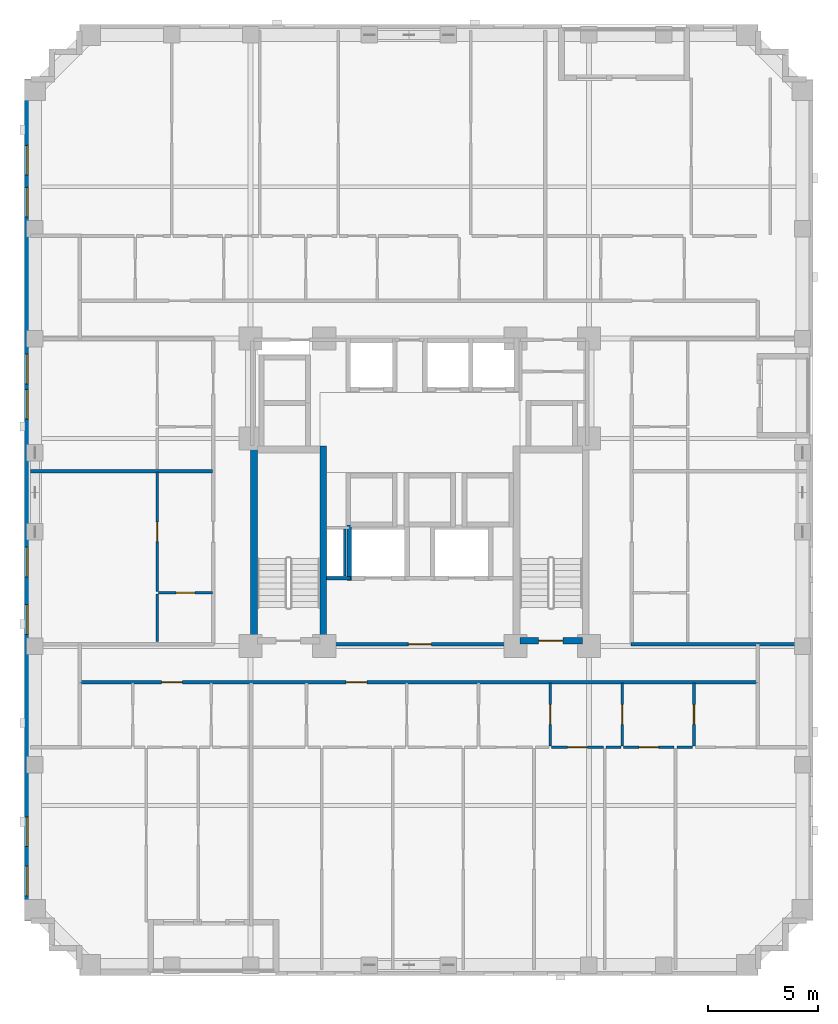
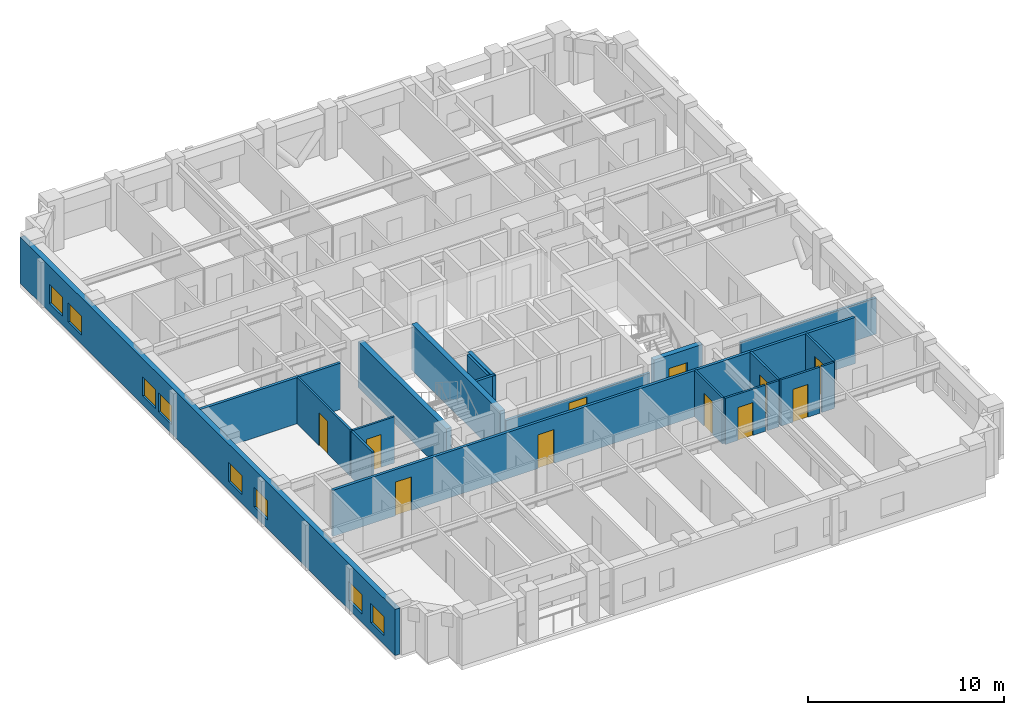
# One storey, part 4 of 12: 21 walls, 11 doors, 8 windows, 19 openings.
"""IFC4 building model written with IfcOpenShell, lengths in metres."""

from ifc_helpers import new_model, si_unit, derived_unit, direction, frame, frame_2d, origin, place, context, subcontext, project, spatial, rectangle, extrude, material, layer, layer_set, type_object, element, fill, save


model = new_model("IFC4")

# Units and contexts
model_context = context("Model", 3, precision=1e-05, world=origin(), true_north=direction((0.0, 1.0)))
body_context = subcontext(model_context, "Body", "Model", "MODEL_VIEW")
ifc_project = project(units=[si_unit("LENGTHUNIT", "METRE"), si_unit("AREAUNIT", "SQUARE_METRE"), si_unit("VOLUMEUNIT", "CUBIC_METRE"), si_unit("PLANEANGLEUNIT", "RADIAN"), si_unit("MASSUNIT", "GRAM", prefix="KILO"), derived_unit("THERMALTRANSMITTANCEUNIT", [(si_unit("MASSUNIT", "GRAM", prefix="KILO"), 1), (si_unit("TIMEUNIT", "SECOND"), -3), (si_unit("THERMODYNAMICTEMPERATUREUNIT", "KELVIN"), -1)])], contexts=[model_context])

# Site, building, storey
site_placement = place(None, origin())
site = spatial("IfcSite", under=ifc_project, at=site_placement, CompositionType="ELEMENT")
building_placement = place(site_placement, origin())
building = spatial("IfcBuilding", under=site, at=building_placement, Name="Korrvale Station Residences", CompositionType="ELEMENT")
storey_placement = place(building_placement, frame((0.0, 0.0, 116.699951171875)))
storey = spatial("IfcBuildingStorey", under=building, at=storey_placement, Name="L33", CompositionType="ELEMENT", Elevation=116.699951171875)

# Walls
ifc_material_1 = material(Name="Concrete C60/75", Category="concrete")
ifc_layer_1 = layer(ifc_material_1, 0.300048828125, Name="Concrete C60/75")
ifc_layer_set_1 = layer_set([ifc_layer_1], Name="Concrete C60/75")
wall_type_1 = type_object("IfcWallType", Name="WAL-CORE-300-C60", PredefinedType="SHEAR", material=ifc_layer_set_1)
for number, where, z_axis, x_axis, name in (
    (1, (17.949951171875, 15.10009765625, 0.0), (0.0, 0.0, 1.0), (0.0, 1.0, 0.0), "L33 ST-1 Core Shear Wall West"),
    (2, (21.10009765625, 15.10009765625, 0.0), (0.0, 0.0, 1.0), (0.0, 1.0, 0.0), "L33 ST-1 Core Shear Wall East"),
):
    element("IfcWall", number, at=place(storey_placement, frame(where, z_axis=z_axis, x_axis=x_axis)), inside=storey, type_object=wall_type_1, Name=name, PredefinedType="SHEAR", context=body_context, shape_type="SweptSolid", body=[
        extrude(rectangle(XDim=9.0, YDim=0.300048828125, at=frame_2d((4.5, 0.0))), origin(), (0.0, 0.0, 1.0), 2.880126953125),
    ])

# Wall, opening, door
wall_1_placement = place(storey_placement, frame((30.050048828125, 15.25, 0.0), z_axis=(0.0, 0.0, 1.0), x_axis=(1.0, 0.0, 0.0)))
wall_1 = element("IfcWall", 3, at=wall_1_placement, inside=storey, type_object=wall_type_1, Name="L33 ST-2 Core Shear Wall South", PredefinedType="SHEAR", context=body_context, shape_type="SweptSolid", body=[
    extrude(rectangle(XDim=2.849853515625, YDim=0.300048828125, at=frame_2d((1.4248046875, 0.0))), origin(), (0.0, 0.0, 1.0), 2.880126953125),
])
opening_1_placement = place(wall_1_placement, frame((0.860107421875, 0.0, 0.0)))
opening_1 = element("IfcOpeningElement", 4, at=opening_1_placement, cuts=wall_1, Name="Opening SD-1100", PredefinedType="OPENING", context=body_context, shape_type="SweptSolid", body=[
    extrude(rectangle(XDim=1.10009765625, YDim=2.050048828125, at=frame_2d((0.550048828125, 1.02490234375))), frame((0.0, 0.16015625, 0.0), z_axis=(0.0, -1.0, 0.0), x_axis=(1.0, 0.0, 0.0)), (0.0, 0.0, 1.0), 0.320068359375),
])
ifc_material_2 = material(Name="Hollow-metal fire-rated stair door with closer", Category="steel")
door_type_1 = type_object("IfcDoorType", Name="DR-STAIR-1100", OperationType="NOTDEFINED", PredefinedType="DOOR", material=ifc_material_2)
door_1_placement = place(opening_1_placement, origin())
door_1 = element("IfcDoor", 5, at=door_1_placement, inside=storey, type_object=door_type_1, Name="L33 ST-2 Exit Stair Door", OperationType="SINGLE_SWING_RIGHT", OverallHeight=2.050048828125, OverallWidth=1.10009765625, PredefinedType="DOOR", context=body_context, shape_type="SweptSolid", body=[
    extrude(rectangle(XDim=1.10009765625, YDim=2.050048828125, at=frame_2d((0.550048828125, 1.02490234375))), frame((0.0, 0.02490234375, 0.0), z_axis=(0.0, -1.0, 0.0), x_axis=(1.0, 0.0, 0.0)), (0.0, 0.0, 1.0), 0.050048828125),
])
fill(opening_1, door_1)

# Wall, openings, windows
ifc_material_3 = material(Name="Precast concrete C45/55", Category="concrete")
ifc_layer_2 = layer(ifc_material_3, 0.300048828125, Name="Precast concrete C45/55")
ifc_layer_set_2 = layer_set([ifc_layer_2], Name="Precast concrete C45/55")
wall_type_2 = type_object("IfcWallType", Name="WAL-EXT-PC300", PredefinedType="SOLIDWALL", material=ifc_layer_set_2)
wall_2_placement = place(storey_placement, frame((7.64990234375, 2.5, 0.0), z_axis=(0.0, 0.0, 1.0), x_axis=(0.0, 1.0, 0.0)))
wall_2 = element("IfcWall", 6, at=wall_2_placement, inside=storey, type_object=wall_type_2, Name="L33 West Exterior Precast Wall 1", PredefinedType="SOLIDWALL", context=body_context, shape_type="SweptSolid", body=[
    extrude(rectangle(XDim=38.300048828125, YDim=0.300048828125, at=frame_2d((19.14990234375, 0.0))), origin(), (0.0, 0.0, 1.0), 2.880126953125),
])
opening_2_placement = place(wall_2_placement, frame((3.3798828125, 0.0, 0.550048828125)))
opening_2 = element("IfcOpeningElement", 7, at=opening_2_placement, cuts=wall_2, Name="Opening W-10", PredefinedType="OPENING", context=body_context, shape_type="SweptSolid", body=[
    extrude(rectangle(XDim=1.35009765625, YDim=1.199951171875, at=frame_2d((0.675048828125, 0.60009765625))), frame((0.0, 0.16015625, 0.0), z_axis=(0.0, -1.0, 0.0), x_axis=(1.0, 0.0, 0.0)), (0.0, 0.0, 1.0), 0.320068359375),
])
opening_3_placement = place(wall_2_placement, frame((1.135009765625, 0.0, 0.550048828125)))
opening_3 = element("IfcOpeningElement", 8, at=opening_3_placement, cuts=wall_2, Name="Opening W-10", PredefinedType="OPENING", context=body_context, shape_type="SweptSolid", body=[
    extrude(rectangle(XDim=1.35009765625, YDim=1.199951171875, at=frame_2d((0.675048828125, 0.60009765625))), frame((0.0, 0.16015625, 0.0), z_axis=(0.0, -1.0, 0.0), x_axis=(1.0, 0.0, 0.0)), (0.0, 0.0, 1.0), 0.320068359375),
])
opening_4_placement = place(wall_2_placement, frame((33.946044921875, 0.0, 0.550048828125)))
opening_4 = element("IfcOpeningElement", 9, at=opening_4_placement, cuts=wall_2, Name="Opening W-10", PredefinedType="OPENING", context=body_context, shape_type="SweptSolid", body=[
    extrude(rectangle(XDim=1.35009765625, YDim=1.199951171875, at=frame_2d((0.675048828125, 0.60009765625))), frame((0.0, 0.16015625, 0.0), z_axis=(0.0, -1.0, 0.0), x_axis=(1.0, 0.0, 0.0)), (0.0, 0.0, 1.0), 0.320068359375),
])
opening_5_placement = place(wall_2_placement, frame((32.034912109375, 0.0, 0.550048828125)))
opening_5 = element("IfcOpeningElement", 10, at=opening_5_placement, cuts=wall_2, Name="Opening W-10", PredefinedType="OPENING", context=body_context, shape_type="SweptSolid", body=[
    extrude(rectangle(XDim=1.35009765625, YDim=1.199951171875, at=frame_2d((0.675048828125, 0.60009765625))), frame((0.0, 0.16015625, 0.0), z_axis=(0.0, -1.0, 0.0), x_axis=(1.0, 0.0, 0.0)), (0.0, 0.0, 1.0), 0.320068359375),
])
opening_6_placement = place(wall_2_placement, frame((15.64990234375, 0.0, 0.550048828125)))
opening_6 = element("IfcOpeningElement", 11, at=opening_6_placement, cuts=wall_2, Name="Opening W-10", PredefinedType="OPENING", context=body_context, shape_type="SweptSolid", body=[
    extrude(rectangle(XDim=1.35009765625, YDim=1.199951171875, at=frame_2d((0.675048828125, 0.60009765625))), frame((0.0, 0.16015625, 0.0), z_axis=(0.0, -1.0, 0.0), x_axis=(1.0, 0.0, 0.0)), (0.0, 0.0, 1.0), 0.320068359375),
])
opening_7_placement = place(wall_2_placement, frame((13.034912109375, 0.0, 0.550048828125)))
opening_7 = element("IfcOpeningElement", 12, at=opening_7_placement, cuts=wall_2, Name="Opening W-10", PredefinedType="OPENING", context=body_context, shape_type="SweptSolid", body=[
    extrude(rectangle(XDim=1.35009765625, YDim=1.199951171875, at=frame_2d((0.675048828125, 0.60009765625))), frame((0.0, 0.16015625, 0.0), z_axis=(0.0, -1.0, 0.0), x_axis=(1.0, 0.0, 0.0)), (0.0, 0.0, 1.0), 0.320068359375),
])
opening_8_placement = place(wall_2_placement, frame((22.8310546875, 0.0, 0.550048828125)))
opening_8 = element("IfcOpeningElement", 13, at=opening_8_placement, cuts=wall_2, Name="Opening W-10", PredefinedType="OPENING", context=body_context, shape_type="SweptSolid", body=[
    extrude(rectangle(XDim=1.35009765625, YDim=1.199951171875, at=frame_2d((0.675048828125, 0.60009765625))), frame((0.0, 0.16015625, 0.0), z_axis=(0.0, -1.0, 0.0), x_axis=(1.0, 0.0, 0.0)), (0.0, 0.0, 1.0), 0.320068359375),
])
opening_9_placement = place(wall_2_placement, frame((24.44091796875, 0.0, 0.550048828125)))
opening_9 = element("IfcOpeningElement", 14, at=opening_9_placement, cuts=wall_2, Name="Opening W-10", PredefinedType="OPENING", context=body_context, shape_type="SweptSolid", body=[
    extrude(rectangle(XDim=1.35009765625, YDim=1.199951171875, at=frame_2d((0.675048828125, 0.60009765625))), frame((0.0, 0.16015625, 0.0), z_axis=(0.0, -1.0, 0.0), x_axis=(1.0, 0.0, 0.0)), (0.0, 0.0, 1.0), 0.320068359375),
])
ifc_material_4 = material(Name="Thermally broken aluminium frame with triple low-e glazing", Category="aluminium")
window_type = type_object("IfcWindowType", Name="WIN-W10", PartitioningType="SINGLE_PANEL", PredefinedType="WINDOW", material=ifc_material_4)
window_1_placement = place(opening_2_placement, origin())
window_1 = element("IfcWindow", 15, at=window_1_placement, inside=storey, type_object=window_type, Name="L33 Punched Window 01", OverallHeight=1.199951171875, OverallWidth=1.35009765625, PartitioningType="SINGLE_PANEL", PredefinedType="WINDOW", context=body_context, shape_type="SweptSolid", body=[
    extrude(rectangle(XDim=1.35009765625, YDim=1.199951171875, at=frame_2d((0.675048828125, 0.60009765625))), frame((0.0, 0.030029296875, 0.0), z_axis=(0.0, -1.0, 0.0), x_axis=(1.0, 0.0, 0.0)), (0.0, 0.0, 1.0), 0.06005859375),
])
fill(opening_2, window_1)
window_2_placement = place(opening_3_placement, origin())
window_2 = element("IfcWindow", 16, at=window_2_placement, inside=storey, type_object=window_type, Name="L33 Punched Window 02", OverallHeight=1.199951171875, OverallWidth=1.35009765625, PartitioningType="SINGLE_PANEL", PredefinedType="WINDOW", context=body_context, shape_type="SweptSolid", body=[
    extrude(rectangle(XDim=1.35009765625, YDim=1.199951171875, at=frame_2d((0.675048828125, 0.60009765625))), frame((0.0, 0.030029296875, 0.0), z_axis=(0.0, -1.0, 0.0), x_axis=(1.0, 0.0, 0.0)), (0.0, 0.0, 1.0), 0.06005859375),
])
fill(opening_3, window_2)
window_3_placement = place(opening_4_placement, origin())
window_3 = element("IfcWindow", 17, at=window_3_placement, inside=storey, type_object=window_type, Name="L33 Punched Window 12", OverallHeight=1.199951171875, OverallWidth=1.35009765625, PartitioningType="SINGLE_PANEL", PredefinedType="WINDOW", context=body_context, shape_type="SweptSolid", body=[
    extrude(rectangle(XDim=1.35009765625, YDim=1.199951171875, at=frame_2d((0.675048828125, 0.60009765625))), frame((0.0, 0.030029296875, 0.0), z_axis=(0.0, -1.0, 0.0), x_axis=(1.0, 0.0, 0.0)), (0.0, 0.0, 1.0), 0.06005859375),
])
fill(opening_4, window_3)
window_4_placement = place(opening_5_placement, origin())
window_4 = element("IfcWindow", 18, at=window_4_placement, inside=storey, type_object=window_type, Name="L33 Punched Window 13", OverallHeight=1.199951171875, OverallWidth=1.35009765625, PartitioningType="SINGLE_PANEL", PredefinedType="WINDOW", context=body_context, shape_type="SweptSolid", body=[
    extrude(rectangle(XDim=1.35009765625, YDim=1.199951171875, at=frame_2d((0.675048828125, 0.60009765625))), frame((0.0, 0.030029296875, 0.0), z_axis=(0.0, -1.0, 0.0), x_axis=(1.0, 0.0, 0.0)), (0.0, 0.0, 1.0), 0.06005859375),
])
fill(opening_5, window_4)
window_5_placement = place(opening_6_placement, origin())
window_5 = element("IfcWindow", 19, at=window_5_placement, inside=storey, type_object=window_type, Name="L33 Punched Window 19", OverallHeight=1.199951171875, OverallWidth=1.35009765625, PartitioningType="SINGLE_PANEL", PredefinedType="WINDOW", context=body_context, shape_type="SweptSolid", body=[
    extrude(rectangle(XDim=1.35009765625, YDim=1.199951171875, at=frame_2d((0.675048828125, 0.60009765625))), frame((0.0, 0.030029296875, 0.0), z_axis=(0.0, -1.0, 0.0), x_axis=(1.0, 0.0, 0.0)), (0.0, 0.0, 1.0), 0.06005859375),
])
fill(opening_6, window_5)
window_6_placement = place(opening_7_placement, origin())
window_6 = element("IfcWindow", 20, at=window_6_placement, inside=storey, type_object=window_type, Name="L33 Punched Window 20", OverallHeight=1.199951171875, OverallWidth=1.35009765625, PartitioningType="SINGLE_PANEL", PredefinedType="WINDOW", context=body_context, shape_type="SweptSolid", body=[
    extrude(rectangle(XDim=1.35009765625, YDim=1.199951171875, at=frame_2d((0.675048828125, 0.60009765625))), frame((0.0, 0.030029296875, 0.0), z_axis=(0.0, -1.0, 0.0), x_axis=(1.0, 0.0, 0.0)), (0.0, 0.0, 1.0), 0.06005859375),
])
fill(opening_7, window_6)
window_7_placement = place(opening_8_placement, origin())
window_7 = element("IfcWindow", 21, at=window_7_placement, inside=storey, type_object=window_type, Name="L33 Punched Window 21", OverallHeight=1.199951171875, OverallWidth=1.35009765625, PartitioningType="SINGLE_PANEL", PredefinedType="WINDOW", context=body_context, shape_type="SweptSolid", body=[
    extrude(rectangle(XDim=1.35009765625, YDim=1.199951171875, at=frame_2d((0.675048828125, 0.60009765625))), frame((0.0, 0.030029296875, 0.0), z_axis=(0.0, -1.0, 0.0), x_axis=(1.0, 0.0, 0.0)), (0.0, 0.0, 1.0), 0.06005859375),
])
fill(opening_8, window_7)
window_8_placement = place(opening_9_placement, origin())
window_8 = element("IfcWindow", 22, at=window_8_placement, inside=storey, type_object=window_type, Name="L33 Punched Window 22", OverallHeight=1.199951171875, OverallWidth=1.35009765625, PartitioningType="SINGLE_PANEL", PredefinedType="WINDOW", context=body_context, shape_type="SweptSolid", body=[
    extrude(rectangle(XDim=1.35009765625, YDim=1.199951171875, at=frame_2d((0.675048828125, 0.60009765625))), frame((0.0, 0.030029296875, 0.0), z_axis=(0.0, -1.0, 0.0), x_axis=(1.0, 0.0, 0.0)), (0.0, 0.0, 1.0), 0.06005859375),
])
fill(opening_9, window_8)

# Wall
ifc_material_5 = material(Name="Acoustic steel-stud gypsum board partition", Category="steel")
ifc_layer_3 = layer(ifc_material_5, 0.1201171875, Name="Acoustic steel-stud gypsum board partition")
ifc_layer_set_3 = layer_set([ifc_layer_3], Name="Acoustic steel-stud gypsum board partition")
wall_type_3 = type_object("IfcWallType", Name="WAL-PART-125", PredefinedType="PARTITIONING", material=ifc_layer_set_3)
wall_3_placement = place(storey_placement, frame((22.080078125, 18.199951171875, 0.0), z_axis=(0.0, 0.0, 1.0), x_axis=(0.0, 1.0, 0.0)))
element("IfcWall", 23, at=wall_3_placement, inside=storey, type_object=wall_type_3, Name="L33 Core Partition CW-RSWT", PredefinedType="PARTITIONING", context=body_context, shape_type="SweptSolid", body=[
    extrude(rectangle(XDim=2.1201171875, YDim=0.1201171875, at=frame_2d((1.06005859375, 0.0))), origin(), (0.0, 0.0, 1.0), 2.880126953125),
])

# Wall, opening, door
wall_4_placement = place(storey_placement, frame((31.43994140625, 10.4599609375, 0.0), z_axis=(0.0, 0.0, 1.0), x_axis=(0.0, 1.0, 0.0)))
wall_4 = element("IfcWall", 24, at=wall_4_placement, inside=storey, type_object=wall_type_3, Name="L33 Suite Partition U02-V34", PredefinedType="PARTITIONING", context=body_context, shape_type="SweptSolid", body=[
    extrude(rectangle(XDim=2.85009765625, YDim=0.1201171875, at=frame_2d((1.425048828125, 0.0))), origin(), (0.0, 0.0, 1.0), 2.880126953125),
])
opening_10_placement = place(wall_4_placement, frame((0.97509765625, 0.0, 0.0)))
opening_10 = element("IfcOpeningElement", 25, at=opening_10_placement, cuts=wall_4, Name="Opening DI-900", PredefinedType="OPENING", context=body_context, shape_type="SweptSolid", body=[
    extrude(rectangle(XDim=0.89990234375, YDim=2.050048828125, at=frame_2d((0.449951171875, 1.02490234375))), frame((0.0, 0.070068359375, 0.0), z_axis=(0.0, -1.0, 0.0), x_axis=(1.0, 0.0, 0.0)), (0.0, 0.0, 1.0), 0.14013671875),
])
ifc_material_6 = material(Name="Painted solid-core timber interior room door", Category="wood")
door_type_2 = type_object("IfcDoorType", Name="DR-INT-900", OperationType="NOTDEFINED", PredefinedType="DOOR", material=ifc_material_6)
door_2_placement = place(opening_10_placement, origin())
door_2 = element("IfcDoor", 26, at=door_2_placement, inside=storey, type_object=door_type_2, Name="L33 Studio Apartment L33-U02 Home Study Room Door", OperationType="SINGLE_SWING_LEFT", OverallHeight=2.050048828125, OverallWidth=0.89990234375, PredefinedType="DOOR", context=body_context, shape_type="SweptSolid", body=[
    extrude(rectangle(XDim=0.89990234375, YDim=2.050048828125, at=frame_2d((0.449951171875, 1.02490234375))), frame((0.0, 0.02490234375, 0.0), z_axis=(0.0, -1.0, 0.0), x_axis=(1.0, 0.0, 0.0)), (0.0, 0.0, 1.0), 0.050048828125),
])
fill(opening_10, door_2)

wall_5_placement = place(storey_placement, frame((34.7099609375, 10.4599609375, 0.0), z_axis=(0.0, 0.0, 1.0), x_axis=(0.0, 1.0, 0.0)))
wall_5 = element("IfcWall", 27, at=wall_5_placement, inside=storey, type_object=wall_type_3, Name="L33 Suite Partition U02-V45", PredefinedType="PARTITIONING", context=body_context, shape_type="SweptSolid", body=[
    extrude(rectangle(XDim=2.85009765625, YDim=0.1201171875, at=frame_2d((1.425048828125, 0.0))), origin(), (0.0, 0.0, 1.0), 2.880126953125),
])
opening_11_placement = place(wall_5_placement, frame((0.97509765625, 0.0, 0.0)))
opening_11 = element("IfcOpeningElement", 28, at=opening_11_placement, cuts=wall_5, Name="Opening DI-900", PredefinedType="OPENING", context=body_context, shape_type="SweptSolid", body=[
    extrude(rectangle(XDim=0.89990234375, YDim=2.050048828125, at=frame_2d((0.449951171875, 1.02490234375))), frame((0.0, 0.070068359375, 0.0), z_axis=(0.0, -1.0, 0.0), x_axis=(1.0, 0.0, 0.0)), (0.0, 0.0, 1.0), 0.14013671875),
])
door_3_placement = place(opening_11_placement, origin())
door_3 = element("IfcDoor", 29, at=door_3_placement, inside=storey, type_object=door_type_2, Name="L33 Studio Apartment L33-U02 Home Study Room Door", OperationType="SINGLE_SWING_LEFT", OverallHeight=2.050048828125, OverallWidth=0.89990234375, PredefinedType="DOOR", context=body_context, shape_type="SweptSolid", body=[
    extrude(rectangle(XDim=0.89990234375, YDim=2.050048828125, at=frame_2d((0.449951171875, 1.02490234375))), frame((0.0, 0.02490234375, 0.0), z_axis=(0.0, -1.0, 0.0), x_axis=(1.0, 0.0, 0.0)), (0.0, 0.0, 1.0), 0.050048828125),
])
fill(opening_11, door_3)

wall_6_placement = place(storey_placement, frame((31.5, 10.39990234375, 0.0), z_axis=(0.0, 0.0, 1.0), x_axis=(1.0, 0.0, 0.0)))
wall_6 = element("IfcWall", 30, at=wall_6_placement, inside=storey, type_object=wall_type_3, Name="L33 Suite Partition U02-H411", PredefinedType="PARTITIONING", context=body_context, shape_type="SweptSolid", body=[
    extrude(rectangle(XDim=2.360107421875, YDim=0.1201171875, at=frame_2d((1.18017578125, 0.0))), origin(), (0.0, 0.0, 1.0), 2.880126953125),
])
opening_12_placement = place(wall_6_placement, frame((0.72998046875, 0.0, 0.0)))
opening_12 = element("IfcOpeningElement", 31, at=opening_12_placement, cuts=wall_6, Name="Opening DI-900", PredefinedType="OPENING", context=body_context, shape_type="SweptSolid", body=[
    extrude(rectangle(XDim=0.89990234375, YDim=2.050048828125, at=frame_2d((0.449951171875, 1.02490234375))), frame((0.0, 0.070068359375, 0.0), z_axis=(0.0, -1.0, 0.0), x_axis=(1.0, 0.0, 0.0)), (0.0, 0.0, 1.0), 0.14013671875),
])
door_4_placement = place(opening_12_placement, origin())
door_4 = element("IfcDoor", 32, at=door_4_placement, inside=storey, type_object=door_type_2, Name="L33 Studio Apartment L33-U02 Home Study Room Door", OperationType="SINGLE_SWING_RIGHT", OverallHeight=2.050048828125, OverallWidth=0.89990234375, PredefinedType="DOOR", context=body_context, shape_type="SweptSolid", body=[
    extrude(rectangle(XDim=0.89990234375, YDim=2.050048828125, at=frame_2d((0.449951171875, 1.02490234375))), frame((0.0, 0.02490234375, 0.0), z_axis=(0.0, -1.0, 0.0), x_axis=(1.0, 0.0, 0.0)), (0.0, 0.0, 1.0), 0.050048828125),
])
fill(opening_12, door_4)

# Wall
wall_7_placement = place(storey_placement, frame((33.97998046875, 10.39990234375, 0.0), z_axis=(0.0, 0.0, 1.0), x_axis=(1.0, 0.0, 0.0)))
element("IfcWall", 33, at=wall_7_placement, inside=storey, type_object=wall_type_3, Name="L33 Suite Partition U02-H412", PredefinedType="PARTITIONING", context=body_context, shape_type="SweptSolid", body=[
    extrude(rectangle(XDim=0.669921875, YDim=0.1201171875, at=frame_2d((0.3349609375, 0.0))), origin(), (0.0, 0.0, 1.0), 2.880126953125),
])

# Wall, opening, door
wall_8_placement = place(storey_placement, frame((37.97998046875, 10.4599609375, 0.0), z_axis=(0.0, 0.0, 1.0), x_axis=(0.0, 1.0, 0.0)))
wall_8 = element("IfcWall", 34, at=wall_8_placement, inside=storey, type_object=wall_type_3, Name="L33 Suite Partition U02-V56", PredefinedType="PARTITIONING", context=body_context, shape_type="SweptSolid", body=[
    extrude(rectangle(XDim=2.85009765625, YDim=0.1201171875, at=frame_2d((1.425048828125, 0.0))), origin(), (0.0, 0.0, 1.0), 2.880126953125),
])
opening_13_placement = place(wall_8_placement, frame((0.97509765625, 0.0, 0.0)))
opening_13 = element("IfcOpeningElement", 35, at=opening_13_placement, cuts=wall_8, Name="Opening DI-900", PredefinedType="OPENING", context=body_context, shape_type="SweptSolid", body=[
    extrude(rectangle(XDim=0.89990234375, YDim=2.050048828125, at=frame_2d((0.449951171875, 1.02490234375))), frame((0.0, 0.070068359375, 0.0), z_axis=(0.0, -1.0, 0.0), x_axis=(1.0, 0.0, 0.0)), (0.0, 0.0, 1.0), 0.14013671875),
])
door_5_placement = place(opening_13_placement, origin())
door_5 = element("IfcDoor", 36, at=door_5_placement, inside=storey, type_object=door_type_2, Name="L33 Studio Apartment L33-U02 Home Study Room Door", OperationType="SINGLE_SWING_LEFT", OverallHeight=2.050048828125, OverallWidth=0.89990234375, PredefinedType="DOOR", context=body_context, shape_type="SweptSolid", body=[
    extrude(rectangle(XDim=0.89990234375, YDim=2.050048828125, at=frame_2d((0.449951171875, 1.02490234375))), frame((0.0, 0.02490234375, 0.0), z_axis=(0.0, -1.0, 0.0), x_axis=(1.0, 0.0, 0.0)), (0.0, 0.0, 1.0), 0.050048828125),
])
fill(opening_13, door_5)

wall_9_placement = place(storey_placement, frame((34.77001953125, 10.39990234375, 0.0), z_axis=(0.0, 0.0, 1.0), x_axis=(1.0, 0.0, 0.0)))
wall_9 = element("IfcWall", 37, at=wall_9_placement, inside=storey, type_object=wall_type_3, Name="L33 Suite Partition U02-H512", PredefinedType="PARTITIONING", context=body_context, shape_type="SweptSolid", body=[
    extrude(rectangle(XDim=2.31005859375, YDim=0.1201171875, at=frame_2d((1.155029296875, 0.0))), origin(), (0.0, 0.0, 1.0), 2.880126953125),
])
opening_14_placement = place(wall_9_placement, frame((0.705078125, 0.0, 0.0)))
opening_14 = element("IfcOpeningElement", 38, at=opening_14_placement, cuts=wall_9, Name="Opening DI-900", PredefinedType="OPENING", context=body_context, shape_type="SweptSolid", body=[
    extrude(rectangle(XDim=0.89990234375, YDim=2.050048828125, at=frame_2d((0.449951171875, 1.02490234375))), frame((0.0, 0.070068359375, 0.0), z_axis=(0.0, -1.0, 0.0), x_axis=(1.0, 0.0, 0.0)), (0.0, 0.0, 1.0), 0.14013671875),
])
door_6_placement = place(opening_14_placement, origin())
door_6 = element("IfcDoor", 39, at=door_6_placement, inside=storey, type_object=door_type_2, Name="L33 Studio Apartment L33-U02 Home Study Room Door", OperationType="SINGLE_SWING_RIGHT", OverallHeight=2.050048828125, OverallWidth=0.89990234375, PredefinedType="DOOR", context=body_context, shape_type="SweptSolid", body=[
    extrude(rectangle(XDim=0.89990234375, YDim=2.050048828125, at=frame_2d((0.449951171875, 1.02490234375))), frame((0.0, 0.02490234375, 0.0), z_axis=(0.0, -1.0, 0.0), x_axis=(1.0, 0.0, 0.0)), (0.0, 0.0, 1.0), 0.050048828125),
])
fill(opening_14, door_6)

# Wall
wall_10_placement = place(storey_placement, frame((37.199951171875, 10.39990234375, 0.0), z_axis=(0.0, 0.0, 1.0), x_axis=(1.0, 0.0, 0.0)))
element("IfcWall", 40, at=wall_10_placement, inside=storey, type_object=wall_type_3, Name="L33 Suite Partition U02-H513", PredefinedType="PARTITIONING", context=body_context, shape_type="SweptSolid", body=[
    extrude(rectangle(XDim=0.719970703125, YDim=0.1201171875, at=frame_2d((0.35986328125, 0.0))), origin(), (0.0, 0.0, 1.0), 2.880126953125),
])

# Wall, opening, door
wall_11_placement = place(storey_placement, frame((13.610107421875, 17.428955078125, 0.0), z_axis=(0.0, 0.0, 1.0), x_axis=(1.0, 0.0, 0.0)))
wall_11 = element("IfcWall", 41, at=wall_11_placement, inside=storey, type_object=wall_type_3, Name="L33 Suite Partition U05-H01", PredefinedType="PARTITIONING", context=body_context, shape_type="SweptSolid", body=[
    extrude(rectangle(XDim=2.449951171875, YDim=0.1201171875, at=frame_2d((1.22509765625, 0.0))), origin(), (0.0, 0.0, 1.0), 2.880126953125),
])
opening_15_placement = place(wall_11_placement, frame((0.794921875, 0.0, 0.0)))
opening_15 = element("IfcOpeningElement", 42, at=opening_15_placement, cuts=wall_11, Name="Opening DB-860", PredefinedType="OPENING", context=body_context, shape_type="SweptSolid", body=[
    extrude(rectangle(XDim=0.860107421875, YDim=2.050048828125, at=frame_2d((0.43017578125, 1.02490234375))), frame((0.0, 0.070068359375, 0.0), z_axis=(0.0, -1.0, 0.0), x_axis=(1.0, 0.0, 0.0)), (0.0, 0.0, 1.0), 0.14013671875),
])
ifc_material_7 = material(Name="Moisture-resistant solid-core bathroom door", Category="timber")
door_type_3 = type_object("IfcDoorType", Name="DR-BATH-860", OperationType="NOTDEFINED", PredefinedType="DOOR", material=ifc_material_7)
door_7_placement = place(opening_15_placement, origin())
door_7 = element("IfcDoor", 43, at=door_7_placement, inside=storey, type_object=door_type_3, Name="L33 Studio Apartment L33-U05 Bathroom Door", OperationType="SINGLE_SWING_LEFT", OverallHeight=2.050048828125, OverallWidth=0.860107421875, PredefinedType="DOOR", context=body_context, shape_type="SweptSolid", body=[
    extrude(rectangle(XDim=0.860107421875, YDim=2.050048828125, at=frame_2d((0.43017578125, 1.02490234375))), frame((0.0, 0.02490234375, 0.0), z_axis=(0.0, -1.0, 0.0), x_axis=(1.0, 0.0, 0.0)), (0.0, 0.0, 1.0), 0.050048828125),
])
fill(opening_15, door_7)

# Wall
wall_12_placement = place(storey_placement, frame((13.550048828125, 15.2099609375, 0.0), z_axis=(0.0, 0.0, 1.0), x_axis=(0.0, 1.0, 0.0)))
element("IfcWall", 44, at=wall_12_placement, inside=storey, type_object=wall_type_3, Name="L33 Suite Partition U05-V02", PredefinedType="PARTITIONING", context=body_context, shape_type="SweptSolid", body=[
    extrude(rectangle(XDim=2.158935546875, YDim=0.1201171875, at=frame_2d((1.07958984375, 0.0))), origin(), (0.0, 0.0, 1.0), 2.880126953125),
])

# Wall, opening, door
wall_13_placement = place(storey_placement, frame((13.550048828125, 17.489013671875, 0.0), z_axis=(0.0, 0.0, 1.0), x_axis=(0.0, 1.0, 0.0)))
wall_13 = element("IfcWall", 45, at=wall_13_placement, inside=storey, type_object=wall_type_3, Name="L33 Suite Partition U05-V12", PredefinedType="PARTITIONING", context=body_context, shape_type="SweptSolid", body=[
    extrude(rectangle(XDim=5.43310546875, YDim=0.1201171875, at=frame_2d((2.716552734375, 0.0))), origin(), (0.0, 0.0, 1.0), 2.880126953125),
])
opening_16_placement = place(wall_13_placement, frame((2.26611328125, 0.0, 0.0)))
opening_16 = element("IfcOpeningElement", 46, at=opening_16_placement, cuts=wall_13, Name="Opening DI-900", PredefinedType="OPENING", context=body_context, shape_type="SweptSolid", body=[
    extrude(rectangle(XDim=0.89990234375, YDim=2.050048828125, at=frame_2d((0.449951171875, 1.02490234375))), frame((0.0, 0.070068359375, 0.0), z_axis=(0.0, -1.0, 0.0), x_axis=(1.0, 0.0, 0.0)), (0.0, 0.0, 1.0), 0.14013671875),
])
door_8_placement = place(opening_16_placement, origin())
door_8 = element("IfcDoor", 47, at=door_8_placement, inside=storey, type_object=door_type_2, Name="L33 Studio Apartment L33-U05 Kitchen Door", OperationType="SINGLE_SWING_RIGHT", OverallHeight=2.050048828125, OverallWidth=0.89990234375, PredefinedType="DOOR", context=body_context, shape_type="SweptSolid", body=[
    extrude(rectangle(XDim=0.89990234375, YDim=2.050048828125, at=frame_2d((0.449951171875, 1.02490234375))), frame((0.0, 0.02490234375, 0.0), z_axis=(0.0, -1.0, 0.0), x_axis=(1.0, 0.0, 0.0)), (0.0, 0.0, 1.0), 0.050048828125),
])
fill(opening_16, door_8)

ifc_material_8 = material(Name="Fire-rated twin-stud gypsum and mineral wool shaftwall assembly", Category="gypsum")
ifc_layer_4 = layer(ifc_material_8, 0.159912109375, Name="Fire-rated twin-stud gypsum and mineral wool shaftwall assembly")
ifc_layer_set_4 = layer_set([ifc_layer_4], Name="Fire-rated twin-stud gypsum and mineral wool shaftwall assembly")
wall_type_4 = type_object("IfcWallType", Name="WAL-PART-200", PredefinedType="PARTITIONING", material=ifc_layer_set_4)
wall_14_placement = place(storey_placement, frame((21.25, 15.080078125, 0.0), z_axis=(0.0, 0.0, 1.0), x_axis=(1.0, 0.0, 0.0)))
wall_14 = element("IfcWall", 48, at=wall_14_placement, inside=storey, type_object=wall_type_4, Name="L33 Core Partition CW-FFL-S", PredefinedType="PARTITIONING", context=body_context, shape_type="SweptSolid", body=[
    extrude(rectangle(XDim=8.5, YDim=0.159912109375, at=frame_2d((4.25, 0.0))), origin(), (0.0, 0.0, 1.0), 2.2529296875),
])
opening_17_placement = place(wall_14_placement, frame((3.72509765625, 0.0, 0.0)))
opening_17 = element("IfcOpeningElement", 49, at=opening_17_placement, cuts=wall_14, Name="Opening FD-1050", PredefinedType="OPENING", context=body_context, shape_type="SweptSolid", body=[
    extrude(rectangle(XDim=1.050048828125, YDim=2.050048828125, at=frame_2d((0.52490234375, 1.02490234375))), frame((0.0, 0.08984375, 0.0), z_axis=(0.0, -1.0, 0.0), x_axis=(1.0, 0.0, 0.0)), (0.0, 0.0, 1.0), 0.179931640625),
])
ifc_material_9 = material(Name="Fire-rated mineral-core timber lobby door", Category="wood")
door_type_4 = type_object("IfcDoorType", Name="DR-CORE-1050", OperationType="NOTDEFINED", PredefinedType="DOOR", material=ifc_material_9)
door_9_placement = place(opening_17_placement, origin())
door_9 = element("IfcDoor", 50, at=door_9_placement, inside=storey, type_object=door_type_4, Name="L33 Firefighting Lobby Entry Door", OperationType="SINGLE_SWING_LEFT", OverallHeight=2.050048828125, OverallWidth=1.050048828125, PredefinedType="DOOR", context=body_context, shape_type="SweptSolid", body=[
    extrude(rectangle(XDim=1.050048828125, YDim=2.050048828125, at=frame_2d((0.52490234375, 1.02490234375))), frame((0.0, 0.02490234375, 0.0), z_axis=(0.0, -1.0, 0.0), x_axis=(1.0, 0.0, 0.0)), (0.0, 0.0, 1.0), 0.050048828125),
])
fill(opening_17, door_9)

# Walls
wall_15_placement = place(storey_placement, frame((21.25, 18.080078125, 0.0), z_axis=(0.0, 0.0, 1.0), x_axis=(1.0, 0.0, 0.0)))
element("IfcWall", 51, at=wall_15_placement, inside=storey, type_object=wall_type_4, Name="L33 Core Partition CW-FFL-N1", PredefinedType="PARTITIONING", context=body_context, shape_type="SweptSolid", body=[
    extrude(rectangle(XDim=1.10009765625, YDim=0.159912109375, at=frame_2d((0.550048828125, 0.0))), origin(), (0.0, 0.0, 1.0), 2.880126953125),
])
wall_16_placement = place(storey_placement, frame((35.110107421875, 15.090087890625, 0.0), z_axis=(0.0, 0.0, 1.0), x_axis=(1.0, 0.0, 0.0)))
element("IfcWall", 52, at=wall_16_placement, inside=storey, type_object=wall_type_4, Name="L33 East Wing South Corridor Wall", PredefinedType="PARTITIONING", context=body_context, shape_type="SweptSolid", body=[
    extrude(rectangle(XDim=8.010009765625, YDim=0.159912109375, at=frame_2d((4.0048828125, 0.0))), origin(), (0.0, 0.0, 1.0), 2.2529296875),
])
wall_17_placement = place(storey_placement, frame((7.780029296875, 22.9619140625, 0.0), z_axis=(0.0, 0.0, 1.0), x_axis=(1.0, 0.0, 0.0)))
element("IfcWall", 53, at=wall_17_placement, inside=storey, type_object=wall_type_4, Name="L33 Demising Wall U05-N", PredefinedType="PARTITIONING", context=body_context, shape_type="SweptSolid", body=[
    extrude(rectangle(XDim=8.280029296875, YDim=0.159912109375, at=frame_2d((4.14013671875, 0.0))), origin(), (0.0, 0.0, 1.0), 2.880126953125),
])

# Wall, openings, doors
wall_18_placement = place(storey_placement, frame((10.050048828125, 13.35009765625, 0.0), z_axis=(0.0, 0.0, 1.0), x_axis=(1.0, 0.0, 0.0)))
wall_18 = element("IfcWall", 54, at=wall_18_placement, inside=storey, type_object=wall_type_4, Name="L33 Rated Corridor Wall S", PredefinedType="PARTITIONING", context=body_context, shape_type="SweptSolid", body=[
    extrude(rectangle(XDim=30.800048828125, YDim=0.159912109375, at=frame_2d((15.39990234375, 0.0))), origin(), (0.0, 0.0, 1.0), 2.880126953125),
])
opening_18_placement = place(wall_18_placement, frame((3.69189453125, 0.0, 0.0)))
opening_18 = element("IfcOpeningElement", 55, at=opening_18_placement, cuts=wall_18, Name="Opening UD-950", PredefinedType="OPENING", context=body_context, shape_type="SweptSolid", body=[
    extrude(rectangle(XDim=0.949951171875, YDim=2.10009765625, at=frame_2d((0.47509765625, 1.050048828125))), frame((0.0, 0.08984375, 0.0), z_axis=(0.0, -1.0, 0.0), x_axis=(1.0, 0.0, 0.0)), (0.0, 0.0, 1.0), 0.179931640625),
])
opening_19_placement = place(wall_18_placement, frame((12.094970703125, 0.0, 0.0)))
opening_19 = element("IfcOpeningElement", 56, at=opening_19_placement, cuts=wall_18, Name="Opening UD-950", PredefinedType="OPENING", context=body_context, shape_type="SweptSolid", body=[
    extrude(rectangle(XDim=0.949951171875, YDim=2.10009765625, at=frame_2d((0.47509765625, 1.050048828125))), frame((0.0, 0.08984375, 0.0), z_axis=(0.0, -1.0, 0.0), x_axis=(1.0, 0.0, 0.0)), (0.0, 0.0, 1.0), 0.179931640625),
])
ifc_material_10 = material(Name="Solid-core acoustic oak apartment entrance door", Category="timber")
door_type_5 = type_object("IfcDoorType", Name="DR-UNIT-950", OperationType="NOTDEFINED", PredefinedType="DOOR", material=ifc_material_10)
door_10_placement = place(opening_18_placement, origin())
door_10 = element("IfcDoor", 57, at=door_10_placement, inside=storey, type_object=door_type_5, Name="L33 Apartment L33-U01 Entrance Door", OperationType="SINGLE_SWING_LEFT", OverallHeight=2.10009765625, OverallWidth=0.949951171875, PredefinedType="DOOR", context=body_context, shape_type="SweptSolid", body=[
    extrude(rectangle(XDim=0.949951171875, YDim=2.10009765625, at=frame_2d((0.47509765625, 1.050048828125))), frame((0.0, 0.02490234375, 0.0), z_axis=(0.0, -1.0, 0.0), x_axis=(1.0, 0.0, 0.0)), (0.0, 0.0, 1.0), 0.050048828125),
])
fill(opening_18, door_10)
door_11_placement = place(opening_19_placement, origin())
door_11 = element("IfcDoor", 58, at=door_11_placement, inside=storey, type_object=door_type_5, Name="L33 Apartment L33-U02 Entrance Door", OperationType="SINGLE_SWING_RIGHT", OverallHeight=2.10009765625, OverallWidth=0.949951171875, PredefinedType="DOOR", context=body_context, shape_type="SweptSolid", body=[
    extrude(rectangle(XDim=0.949951171875, YDim=2.10009765625, at=frame_2d((0.47509765625, 1.050048828125))), frame((0.0, 0.02490234375, 0.0), z_axis=(0.0, -1.0, 0.0), x_axis=(1.0, 0.0, 0.0)), (0.0, 0.0, 1.0), 0.050048828125),
])
fill(opening_19, door_11)

# Wall
ifc_layer_5 = layer(ifc_material_1, 0.219970703125, Name="Concrete C60/75")
ifc_layer_set_5 = layer_set([ifc_layer_5], Name="Concrete C60/75")
wall_type_5 = type_object("IfcWallType", Name="WAL-SHAFT-220-C60", PredefinedType="SHEAR", material=ifc_layer_set_5)
wall_19_placement = place(storey_placement, frame((22.2900390625, 17.97998046875, 0.0), z_axis=(0.0, 0.0, 1.0), x_axis=(0.0, 1.0, 0.0)))
element("IfcWall", 59, at=wall_19_placement, inside=storey, type_object=wall_type_5, Name="L33 Elevator FFL-1 Hoistway Wall West", PredefinedType="SHEAR", context=body_context, shape_type="SweptSolid", body=[
    extrude(rectangle(XDim=2.5400390625, YDim=0.219970703125, at=frame_2d((1.27001953125, 0.0))), origin(), (0.0, 0.0, 1.0), 2.880126953125),
])

save(model, "model.ifc")
